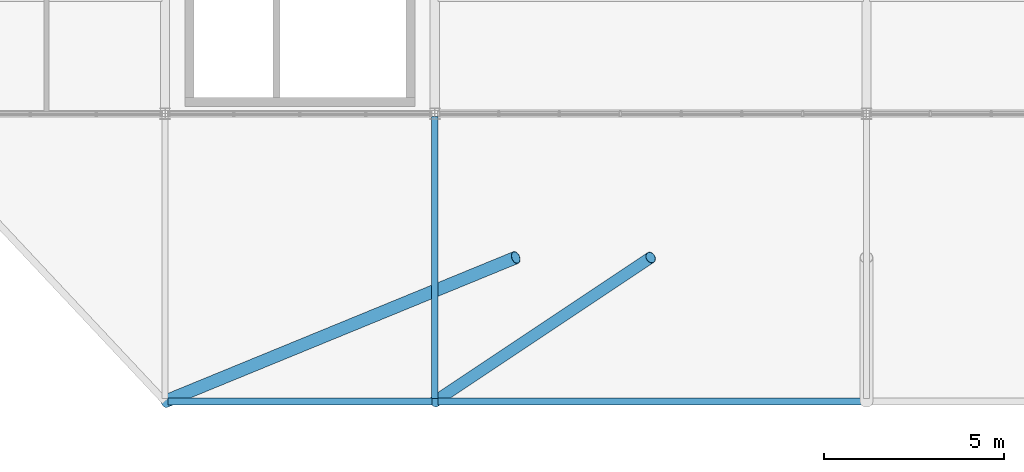
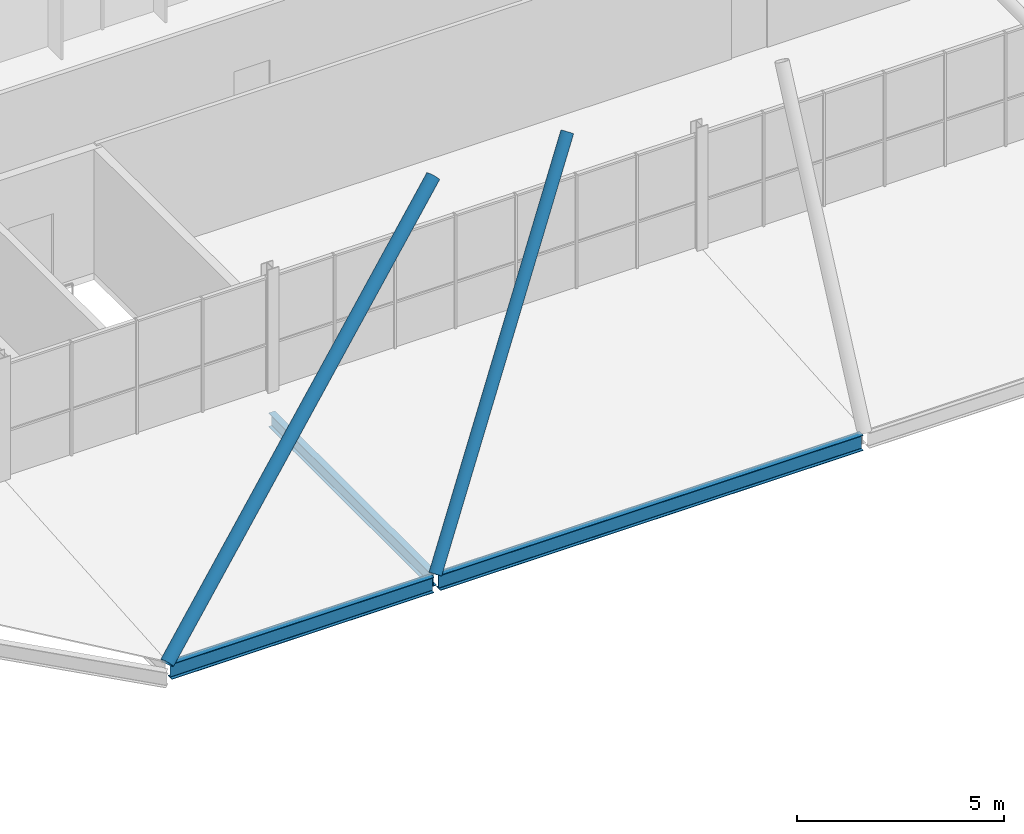
# One storey, part 172 of 324: 3 beams, 2 members.
"""IFC4 building model written with IfcOpenShell, lengths in metres."""

from ifc_helpers import new_model, si_unit, direction, frame, origin, origin_2d, place, context, subcontext, project, spatial, hollow_circle, i_section, extrude, material, material_profile, profile_set, type_object, element, save


model = new_model("IFC4")

# Units and contexts
model_context = context("Model", 3, precision=1e-05, world=origin(), true_north=direction((0.0, 1.0)))
body_context = subcontext(model_context, "Body", "Model", "MODEL_VIEW")
ifc_project = project(units=[si_unit("LENGTHUNIT", "METRE"), si_unit("AREAUNIT", "SQUARE_METRE"), si_unit("VOLUMEUNIT", "CUBIC_METRE"), si_unit("PLANEANGLEUNIT", "RADIAN"), si_unit("MASSUNIT", "GRAM", prefix="KILO")], contexts=[model_context])

# Site, building, storey
site_placement = place(None, origin())
site = spatial("IfcSite", under=ifc_project, at=site_placement, CompositionType="ELEMENT")
building_placement = place(site_placement, origin())
building = spatial("IfcBuilding", under=site, at=building_placement, Name="Solvenia Promenade Tram Depot", CompositionType="ELEMENT")
storey_placement = place(building_placement, frame((0.0, 0.0, 4.5)))
storey = spatial("IfcBuildingStorey", under=building, at=storey_placement, Name="L01", CompositionType="ELEMENT", Elevation=4.5)

# Beam
ifc_material_1 = material(Name="Structural steel ASTM A992 Gr. 50", Category="steel")
ifc_material_profile_1 = material_profile(ifc_material_1, i_section(OverallWidth=0.178955078125, OverallDepth=0.409912109375, WebThickness=0.0087890625, FlangeThickness=0.014404296875, FilletRadius=0.011962890625, at=origin_2d()), Name="W410x67", Category="steel")
ifc_profile_set_1 = profile_set([ifc_material_profile_1], Name="Structural steel ASTM A992 Gr. 50")
beam_type_1 = type_object("IfcBeamType", Name="Beam-W410x67", PredefinedType="BEAM", material=ifc_profile_set_1)
beam_1_placement = place(storey_placement, frame((150.0, 0.0849609375, -0.205078125), z_axis=(0.0, 1.0, 0.0), x_axis=(-1.0, 0.0, 0.0)))
element("IfcBeam", 1, at=beam_1_placement, inside=storey, type_object=beam_type_1, Name="Colonnade Canopy Cross Beam BM-L01-0951", PredefinedType="BEAM", context=body_context, shape_type="SweptSolid", body=[
    extrude(i_section(OverallWidth=0.178955078125, OverallDepth=0.409912109375, WebThickness=0.0087890625, FlangeThickness=0.014404296875, FilletRadius=0.011962890625, at=origin_2d()), origin(), (0.0, 0.0, 1.0), 7.830078125),
])

# Members
ifc_material_2 = material(Name="Structural steel ASTM A500 Gr. C", Category="steel")
ifc_material_profile_2 = material_profile(ifc_material_2, hollow_circle(Radius=0.161865234375, WallThickness=0.010009765625, at=origin_2d()), Name="CHS323.9x10", Category="steel")
ifc_profile_set_2 = profile_set([ifc_material_profile_2], Name="Structural steel ASTM A500 Gr. C")
member_type_1 = type_object("IfcMemberType", Name="SailRib-CHS324x10", PredefinedType="RAFTER", material=ifc_profile_set_2)
member_1_placement = place(storey_placement, frame((150.0, 0.0, 0.0), z_axis=(0.536434630594, 0.357623087063, 0.764423714113), x_axis=(-0.554700196225, 0.832050294338, 0.0)))
element("IfcMember", 2, at=member_1_placement, inside=storey, type_object=member_type_1, Name="Entrance Sail Lower Rib 02", PredefinedType="RAFTER", context=body_context, shape_type="SweptSolid", body=[
    extrude(hollow_circle(Radius=0.161865234375, WallThickness=0.010009765625, at=origin_2d()), origin(), (0.0, 0.0, 1.0), 11.18505859375),
])
ifc_material_profile_3 = material_profile(ifc_material_2, hollow_circle(Radius=0.177734375, WallThickness=0.012451171875, at=origin_2d()), Name="CHS355.6x12.5", Category="steel")
ifc_profile_set_3 = profile_set([ifc_material_profile_3], Name="Structural steel ASTM A500 Gr. C")
member_type_2 = type_object("IfcMemberType", Name="SailRib-CHS355x12", PredefinedType="RAFTER", material=ifc_profile_set_3)
member_2_placement = place(storey_placement, frame((142.5, 0.0, 0.0), z_axis=(0.718455845317, 0.294751116028, 0.630034108545), x_axis=(-0.379556356256, 0.925168618375, 0.0)))
element("IfcMember", 3, at=member_2_placement, inside=storey, type_object=member_type_2, Name="Entrance Sail Lower Rib 01", PredefinedType="RAFTER", context=body_context, shape_type="SweptSolid", body=[
    extrude(hollow_circle(Radius=0.177734375, WallThickness=0.012451171875, at=origin_2d()), origin(), (0.0, 0.0, 1.0), 13.57080078125),
])

# Beams
ifc_material_profile_4 = material_profile(ifc_material_1, i_section(OverallWidth=0.19091796875, OverallDepth=0.4599609375, WebThickness=0.010009765625, FlangeThickness=0.01611328125, FilletRadius=0.012939453125, at=origin_2d()), Name="W460x82", Category="steel")
ifc_profile_set_4 = profile_set([ifc_material_profile_4], Name="Structural steel ASTM A992 Gr. 50")
beam_type_2 = type_object("IfcBeamType", Name="Spandrel-W460x82", PredefinedType="SPANDREL", material=ifc_profile_set_4)
beam_2_placement = place(storey_placement, frame((142.5849609375, 0.0, -0.22998046875), z_axis=(1.0, 0.0, 0.0), x_axis=(0.0, 1.0, 0.0)))
element("IfcBeam", 4, at=beam_2_placement, inside=storey, type_object=beam_type_2, Name="Colonnade Sail Base Girder BM-L01-0948", PredefinedType="SPANDREL", context=body_context, shape_type="SweptSolid", body=[
    extrude(i_section(OverallWidth=0.19091796875, OverallDepth=0.4599609375, WebThickness=0.010009765625, FlangeThickness=0.01611328125, FilletRadius=0.012939453125, at=origin_2d()), origin(), (0.0, 0.0, 1.0), 7.330078125),
])
beam_3_placement = place(storey_placement, frame((150.0849609375, 0.0, -0.22998046875), z_axis=(1.0, 0.0, 0.0), x_axis=(0.0, 1.0, 0.0)))
element("IfcBeam", 5, at=beam_3_placement, inside=storey, type_object=beam_type_2, Name="Colonnade Sail Base Girder BM-L01-0950", PredefinedType="SPANDREL", context=body_context, shape_type="SweptSolid", body=[
    extrude(i_section(OverallWidth=0.19091796875, OverallDepth=0.4599609375, WebThickness=0.010009765625, FlangeThickness=0.01611328125, FilletRadius=0.012939453125, at=origin_2d()), origin(), (0.0, 0.0, 1.0), 11.830078125),
])

save(model, "model.ifc")
